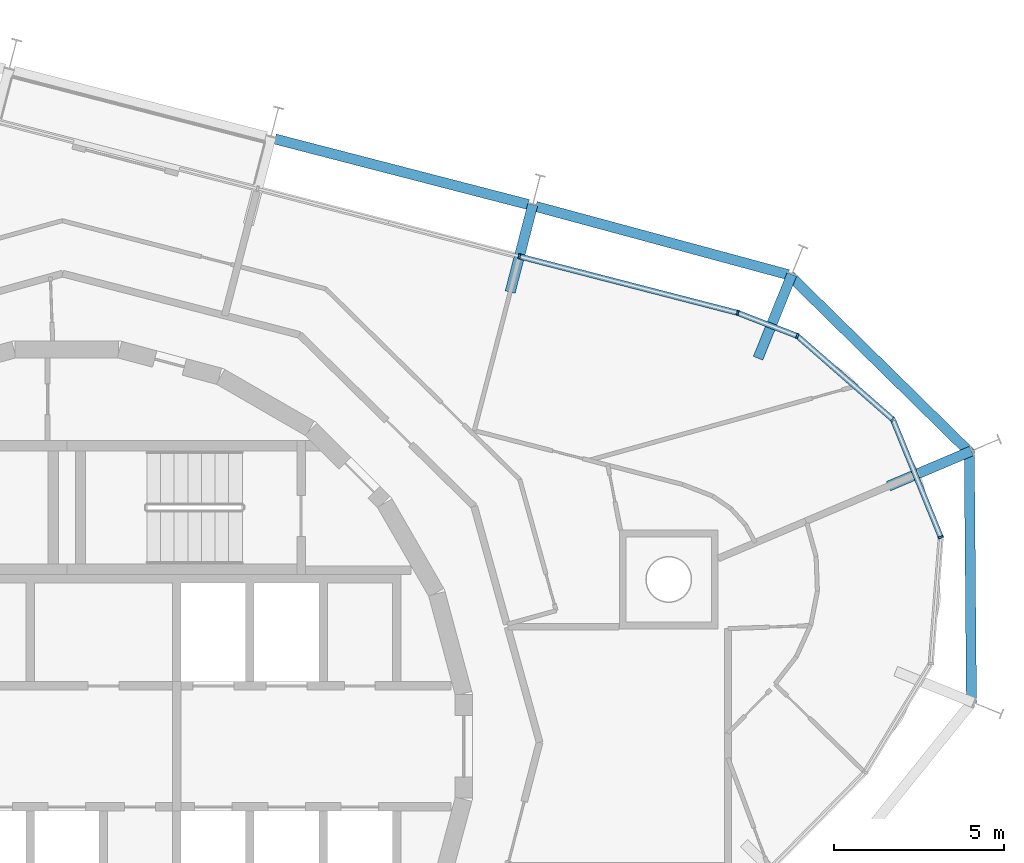
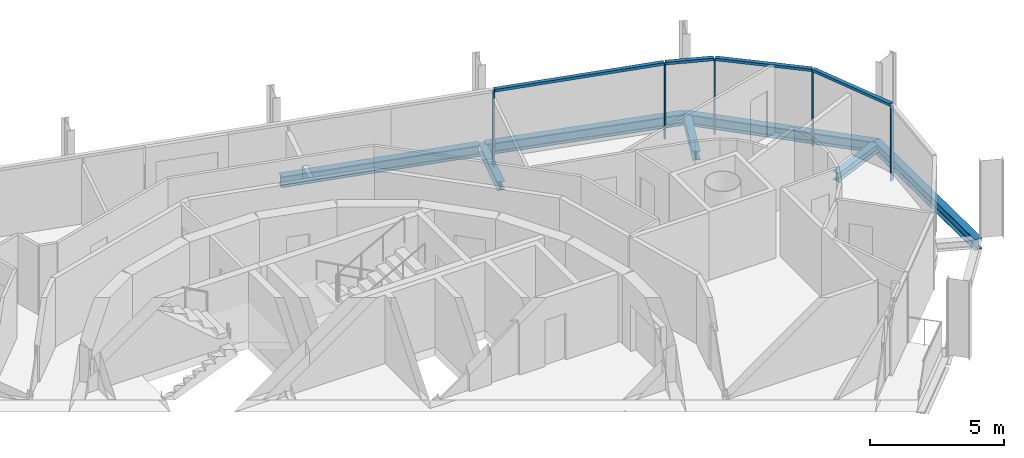
# One storey, part 7 of 15: 9 members, 7 beams, 2 elements without a shape of their own.
"""IFC4 building model written with IfcOpenShell, lengths in metres."""

from ifc_helpers import new_model, si_unit, direction, frame, origin, origin_2d, place, context, subcontext, project, spatial, rectangle, i_section, extrude, material, layer, layer_set, material_profile, profile_set, type_object, element, aggregate, save


model = new_model("IFC4")

# Units and contexts
model_context = context("Model", 3, precision=1e-05, world=origin(), true_north=direction((0.0, 1.0)))
body_context = subcontext(model_context, "Body", "Model", "MODEL_VIEW")
ifc_project = project(units=[si_unit("LENGTHUNIT", "METRE"), si_unit("AREAUNIT", "SQUARE_METRE"), si_unit("VOLUMEUNIT", "CUBIC_METRE"), si_unit("PLANEANGLEUNIT", "RADIAN"), si_unit("MASSUNIT", "GRAM", prefix="KILO")], contexts=[model_context])

# Site, building, storey
site_placement = place(None, origin())
site = spatial("IfcSite", under=ifc_project, at=site_placement, CompositionType="ELEMENT")
building_placement = place(site_placement, origin())
building = spatial("IfcBuilding", under=site, at=building_placement, Name="Spindle Arch Residences", CompositionType="ELEMENT")
storey_placement = place(building_placement, frame((0.0, 0.0, 305.199951171875)))
storey = spatial("IfcBuildingStorey", under=building, at=storey_placement, Name="L78", CompositionType="ELEMENT", Elevation=305.199951171875)

# Curtain wall, members
ifc_material_1 = material(Name="Aluminium bronze unitised frame with tinted glass", Category="aluminium")
ifc_layer_1 = layer(ifc_material_1, 0.159912109375)
ifc_layer_set_1 = layer_set([ifc_layer_1], Name="CW-D corner wall on the fillet arcs")
curtain_wall_type_1 = type_object("IfcCurtainWallType", Name="CW-D corner wall on the fillet arcs", PredefinedType="NOTDEFINED", material=ifc_layer_set_1)
curtain_wall_1_placement = place(storey_placement, origin())
curtain_wall_1 = element("IfcCurtainWall", 1, at=curtain_wall_1_placement, inside=storey, type_object=curtain_wall_type_1, Name="CW-D L78 run 1", PredefinedType="NOTDEFINED")
ifc_material_2 = material(Name="Aluminium bronze anodised mullion", Category="aluminium")
ifc_material_profile_1 = material_profile(ifc_material_2, rectangle(XDim=0.159912109375, YDim=0.06005859375, at=origin_2d()), Name="MU 60x160")
ifc_profile_set_1 = profile_set([ifc_material_profile_1], Name="Aluminium bronze anodised mullion")
member_type_1 = type_object("IfcMemberType", Name="Bronze mullion 60x160", PredefinedType="MULLION", material=ifc_profile_set_1)
member_1_placement = place(storey_placement, frame((25.646728515625, 6.13916015625, -0.3798828125), z_axis=(0.0, 0.0, 1.0), x_axis=(-0.926090247396, -0.377302072189, 0.0)))
member_1 = element("IfcMember", 2, at=member_1_placement, type_object=member_type_1, Name="CW-D mullion 03", PredefinedType="MULLION", context=body_context, shape_type="SweptSolid", body=[
    extrude(rectangle(XDim=0.159912109375, YDim=0.06005859375, at=origin_2d()), origin(), (0.0, 0.0, 1.0), 3.3798828125),
])
member_2_placement = place(storey_placement, frame((24.24072265625, 9.59033203125, -0.3798828125), z_axis=(0.0, 0.0, 1.0), x_axis=(-0.658251611308, -0.752797991635, 0.0)))
member_2 = element("IfcMember", 3, at=member_2_placement, type_object=member_type_1, Name="CW-D mullion 04", PredefinedType="MULLION", context=body_context, shape_type="SweptSolid", body=[
    extrude(rectangle(XDim=0.159912109375, YDim=0.06005859375, at=origin_2d()), origin(), (0.0, 0.0, 1.0), 3.3798828125),
])
member_3_placement = place(storey_placement, frame((21.435302734375, 12.04345703125, -0.3798828125), z_axis=(0.0, 0.0, 1.0), x_axis=(-0.361082099353, -0.932534030225, 0.0)))
member_3 = element("IfcMember", 4, at=member_3_placement, type_object=member_type_1, Name="CW-D mullion 05", PredefinedType="MULLION", context=body_context, shape_type="SweptSolid", body=[
    extrude(rectangle(XDim=0.159912109375, YDim=0.06005859375, at=origin_2d()), origin(), (0.0, 0.0, 1.0), 3.3798828125),
])
member_4_placement = place(storey_placement, frame((19.685791015625, 12.720947265625, -0.3798828125), z_axis=(0.0, 0.0, 1.0), x_axis=(-0.250380004054, -0.968147640378, 0.0)))
member_4 = element("IfcMember", 5, at=member_4_placement, type_object=member_type_1, Name="CW-D mullion 06", PredefinedType="MULLION", context=body_context, shape_type="SweptSolid", body=[
    extrude(rectangle(XDim=0.159912109375, YDim=0.06005859375, at=origin_2d()), origin(), (0.0, 0.0, 1.0), 3.3798828125),
])

# Curtain wall, member
ifc_material_3 = material(Name="Aluminium bronze unitised frame with tinted glass", Category="aluminium")
ifc_layer_2 = layer(ifc_material_3, 0.159912109375)
ifc_layer_set_2 = layer_set([ifc_layer_2], Name="CW-C typical residential unitised wall")
curtain_wall_type_2 = type_object("IfcCurtainWallType", Name="CW-C typical residential unitised wall", PredefinedType="NOTDEFINED", material=ifc_layer_set_2)
curtain_wall_2_placement = place(storey_placement, origin())
curtain_wall_2 = element("IfcCurtainWall", 6, at=curtain_wall_2_placement, inside=storey, type_object=curtain_wall_type_2, Name="CW-C L78 run 2", PredefinedType="NOTDEFINED")
member_5_placement = place(storey_placement, frame((13.280517578125, 14.37744140625, -0.3798828125), z_axis=(0.0, 0.0, 1.0), x_axis=(-0.250380004054, -0.968147640378, 0.0)))
member_5 = element("IfcMember", 7, at=member_5_placement, type_object=member_type_1, Name="CW-C mullion 05", PredefinedType="MULLION", context=body_context, shape_type="SweptSolid", body=[
    extrude(rectangle(XDim=0.159912109375, YDim=0.06005859375, at=origin_2d()), origin(), (0.0, 0.0, 1.0), 3.3798828125),
])
aggregate(curtain_wall_2, [member_5])

# Member
ifc_material_4 = material(Name="Aluminium bronze anodised transom", Category="aluminium")
ifc_material_profile_2 = material_profile(ifc_material_4, rectangle(XDim=0.159912109375, YDim=0.1201171875, at=origin_2d()), Name="TR 120x160")
ifc_profile_set_2 = profile_set([ifc_material_profile_2], Name="Aluminium bronze anodised transom")
member_type_2 = type_object("IfcMemberType", Name="Bronze transom 120x160", PredefinedType="USERDEFINED", material=ifc_profile_set_2)
member_6_placement = place(storey_placement, frame((25.635498046875, 6.166748046875, 3.06005859375), z_axis=(-0.377318036671, 0.926083743083, 0.0), x_axis=(-0.926083743083, -0.377318036671, 0.0)))
member_6 = element("IfcMember", 8, at=member_6_placement, type_object=member_type_2, Name="CW-D transom 03", ObjectType="TRANSOM", PredefinedType="USERDEFINED", context=body_context, shape_type="SweptSolid", body=[
    extrude(rectangle(XDim=0.159912109375, YDim=0.1201171875, at=origin_2d()), origin(), (0.0, 0.0, 1.0), 3.666748046875),
])

member_7_placement = place(storey_placement, frame((24.218017578125, 9.610107421875, 3.06005859375), z_axis=(-0.752799384177, 0.658250018749, 0.0), x_axis=(-0.658250018749, -0.752799384177, 0.0)))
member_7 = element("IfcMember", 9, at=member_7_placement, type_object=member_type_2, Name="CW-D transom 04", ObjectType="TRANSOM", PredefinedType="USERDEFINED", context=body_context, shape_type="SweptSolid", body=[
    extrude(rectangle(XDim=0.159912109375, YDim=0.1201171875, at=origin_2d()), origin(), (0.0, 0.0, 1.0), 3.666748046875),
])

member_8_placement = place(storey_placement, frame((21.4072265625, 12.054443359375, 3.06005859375), z_axis=(-0.932581237084, 0.360960158796, 0.0), x_axis=(-0.360960158796, -0.932581237084, 0.0)))
member_8 = element("IfcMember", 10, at=member_8_placement, type_object=member_type_2, Name="CW-D transom 05", ObjectType="TRANSOM", PredefinedType="USERDEFINED", context=body_context, shape_type="SweptSolid", body=[
    extrude(rectangle(XDim=0.159912109375, YDim=0.1201171875, at=origin_2d()), origin(), (0.0, 0.0, 1.0), 1.81591796875),
])

member_9_placement = place(storey_placement, frame((19.65673828125, 12.728515625, 3.06005859375), z_axis=(-0.968152514415, 0.250361156797, 0.0), x_axis=(-0.250361156797, -0.968152514415, 0.0)))
member_9 = element("IfcMember", 11, at=member_9_placement, type_object=member_type_2, Name="CW-D transom 06", ObjectType="TRANSOM", PredefinedType="USERDEFINED", context=body_context, shape_type="SweptSolid", body=[
    extrude(rectangle(XDim=0.159912109375, YDim=0.1201171875, at=origin_2d()), origin(), (0.0, 0.0, 1.0), 6.555908203125),
])

aggregate(curtain_wall_1, [member_1, member_6, member_2, member_7, member_3, member_8, member_4, member_9])

# Beams
ifc_material_5 = material(Name="Steel S460ML, intumescent coating R 120", Category="steel")
ifc_material_profile_3 = material_profile(ifc_material_5, i_section(OverallWidth=0.300048828125, OverallDepth=0.5, WebThickness=0.014404296875, FlangeThickness=0.028076171875, FilletRadius=0.027099609375, at=origin_2d()), Name="HEB 500")
ifc_profile_set_3 = profile_set([ifc_material_profile_3], Name="Steel S460ML, intumescent coating R 120")
beam_type_1 = type_object("IfcBeamType", Name="Exoskeleton edge beam HEB 500", PredefinedType="BEAM", material=ifc_profile_set_3)
for number, where, z_axis, x_axis, name in (
    (12, (26.54541015625, 1.238525390625, -0.6298828125), (-0.008657825592, 0.999962520326, 0.0), (-0.999962520326, -0.008657825592, 0.0), "Exoskeleton edge beam 3"),
    (13, (26.530517578125, 8.59375, -0.6298828125), (-0.713367950358, 0.700789674155, 0.0), (-0.700789674155, -0.713367950358, 0.0), "Exoskeleton edge beam 4"),
):
    element("IfcBeam", number, at=place(storey_placement, frame(where, z_axis=z_axis, x_axis=x_axis)), inside=storey, type_object=beam_type_1, Name=name, PredefinedType="BEAM", context=body_context, shape_type="SweptSolid", body=[
        extrude(i_section(OverallWidth=0.300048828125, OverallDepth=0.5, WebThickness=0.014404296875, FlangeThickness=0.028076171875, FilletRadius=0.027099609375, at=origin_2d()), origin(), (0.0, 0.0, 1.0), 7.47265625),
    ])
beam_1_placement = place(storey_placement, frame((21.16748046875, 13.842041015625, -0.6298828125), z_axis=(-0.965376606597, 0.260860130024, 0.0), x_axis=(-0.260860130024, -0.965376606597, 0.0)))
element("IfcBeam", 14, at=beam_1_placement, inside=storey, type_object=beam_type_1, Name="Exoskeleton edge beam 5", PredefinedType="BEAM", context=body_context, shape_type="SweptSolid", body=[
    extrude(i_section(OverallWidth=0.300048828125, OverallDepth=0.5, WebThickness=0.014404296875, FlangeThickness=0.028076171875, FilletRadius=0.027099609375, at=origin_2d()), origin(), (0.0, 0.0, 1.0), 7.671630859375),
])
beam_2_placement = place(storey_placement, frame((13.540283203125, 15.90087890625, -0.6298828125), z_axis=(-0.968149836341, 0.250371512743, 0.0), x_axis=(-0.250371512743, -0.968149836341, 0.0)))
element("IfcBeam", 15, at=beam_2_placement, inside=storey, type_object=beam_type_1, Name="Exoskeleton edge beam 6", PredefinedType="BEAM", context=body_context, shape_type="SweptSolid", body=[
    extrude(i_section(OverallWidth=0.300048828125, OverallDepth=0.5, WebThickness=0.014404296875, FlangeThickness=0.028076171875, FilletRadius=0.027099609375, at=origin_2d()), origin(), (0.0, 0.0, 1.0), 7.675048828125),
])
ifc_material_6 = material(Name="Steel S460ML, intumescent coating R 120", Category="steel")
ifc_material_profile_4 = material_profile(ifc_material_6, i_section(OverallWidth=0.300048828125, OverallDepth=0.389892578125, WebThickness=0.010986328125, FlangeThickness=0.01904296875, FilletRadius=0.027099609375, at=origin_2d()), Name="HEA 400")
ifc_profile_set_4 = profile_set([ifc_material_profile_4], Name="Steel S460ML, intumescent coating R 120")
beam_type_2 = type_object("IfcBeamType", Name="Floor outrigger HEA 400", PredefinedType="BEAM", material=ifc_profile_set_4)
for number, where, z_axis, x_axis, name in (
    (16, (26.54541015625, 8.669189453125, -0.574951171875), (-0.920502463847, -0.390736758, 0.0), (0.390736758, -0.920502463847, 0.0), "Floor outrigger 4"),
    (17, (21.27490234375, 13.8466796875, -0.574951171875), (-0.374327471234, -0.927296578382, 0.0), (0.927296578382, -0.374327471234, 0.0), "Floor outrigger 5"),
):
    element("IfcBeam", number, at=place(storey_placement, frame(where, z_axis=z_axis, x_axis=x_axis)), inside=storey, type_object=beam_type_2, Name=name, PredefinedType="BEAM", context=body_context, shape_type="SweptSolid", body=[
        extrude(i_section(OverallWidth=0.300048828125, OverallDepth=0.389892578125, WebThickness=0.010986328125, FlangeThickness=0.01904296875, FilletRadius=0.027099609375, at=origin_2d()), origin(), (0.0, 0.0, 1.0), 2.64990234375),
    ])
beam_3_placement = place(storey_placement, frame((13.673583984375, 15.8974609375, -0.574951171875), z_axis=(-0.250396221036, -0.968143446237, 0.0), x_axis=(0.968143446237, -0.250396221036, 0.0)))
element("IfcBeam", 18, at=beam_3_placement, inside=storey, type_object=beam_type_2, Name="Floor outrigger 6", PredefinedType="BEAM", context=body_context, shape_type="SweptSolid", body=[
    extrude(i_section(OverallWidth=0.300048828125, OverallDepth=0.389892578125, WebThickness=0.010986328125, FlangeThickness=0.01904296875, FilletRadius=0.027099609375, at=origin_2d()), origin(), (0.0, 0.0, 1.0), 2.650146484375),
])

save(model, "model.ifc")
